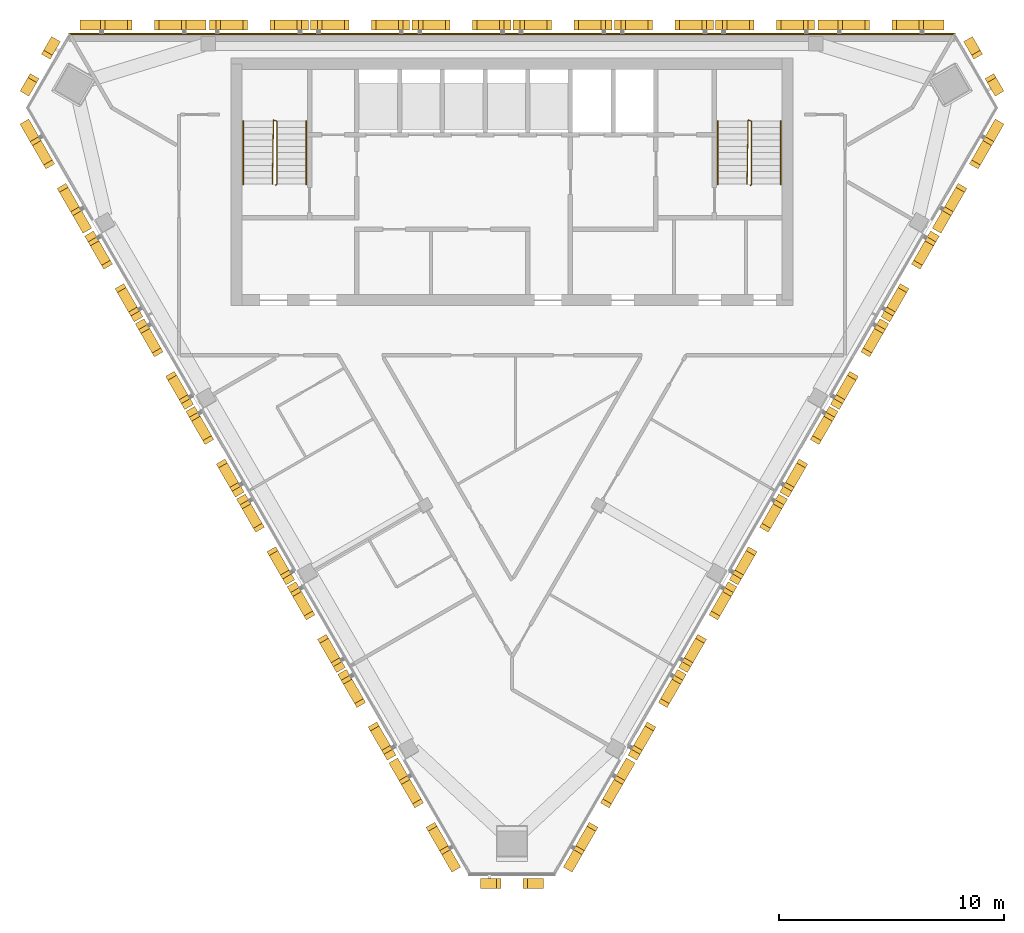
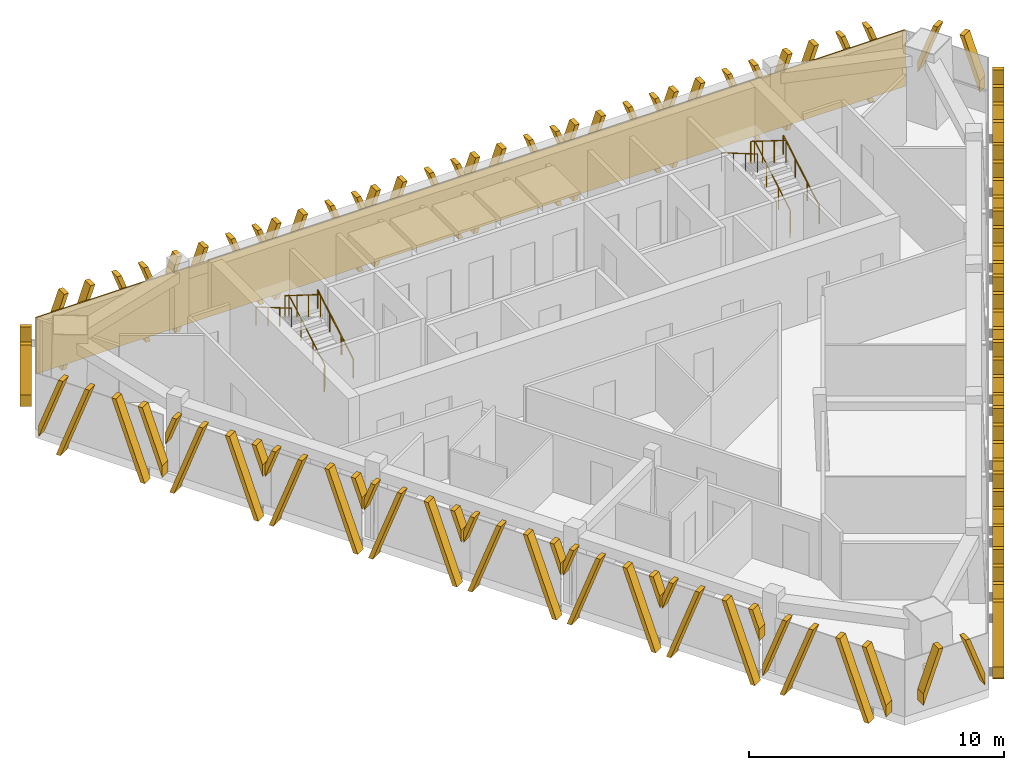
# One storey, part 11 of 12: 27 shading devices, 6 railings, 1 covering.
"""IFC4 building model written with IfcOpenShell, lengths in metres."""

from ifc_helpers import new_model, si_unit, direction, frame, frame_2d, origin, origin_2d, place, context, subcontext, project, spatial, polyline, rectangle, circle, outline, extrude, source, transform, mapped, material, layer, layer_set, type_object, element, save


model = new_model("IFC4")

# Units and contexts
model_context = context("Model", 3, precision=1e-05, world=origin(), true_north=direction((0.0, 1.0)))
body_context = subcontext(model_context, "Body", "Model", "MODEL_VIEW")
ifc_project = project(units=[si_unit("LENGTHUNIT", "METRE"), si_unit("AREAUNIT", "SQUARE_METRE"), si_unit("VOLUMEUNIT", "CUBIC_METRE"), si_unit("PLANEANGLEUNIT", "RADIAN"), si_unit("MASSUNIT", "GRAM", prefix="KILO")], contexts=[model_context])

# Site, building, storey
site_placement = place(None, origin())
site = spatial("IfcSite", under=ifc_project, at=site_placement, CompositionType="ELEMENT")
building_placement = place(site_placement, origin())
building = spatial("IfcBuilding", under=site, at=building_placement, Name="Altiplano Prism Tower", CompositionType="ELEMENT")
storey_placement = place(building_placement, frame((0.0, 0.0, 316.60009765625)))
storey = spatial("IfcBuildingStorey", under=building, at=storey_placement, Name="L82", CompositionType="ELEMENT", Elevation=316.60009765625)

# Railings
ifc_material_1 = material(Name="Steel S355", Category="steel")
railing_type_1 = type_object("IfcRailingType", Name="Stair guard 1100", PredefinedType="GUARDRAIL", material=ifc_material_1)
railing_1_placement = place(storey_placement, frame((74.5, 98.25, 0.0)))
element("IfcRailing", 1, at=railing_1_placement, inside=storey, type_object=railing_type_1, Name="L82 ST1 stair guard 1", PredefinedType="GUARDRAIL", context=body_context, shape_type="SweptSolid", body=[
    extrude(circle(Radius=0.02392578125, at=origin_2d()), frame((0.0, 0.0, 1.076171875), z_axis=(0.280808744504, 0.280808744504, 0.917765164963), x_axis=(-0.707106781187, 0.707106781187, 0.0)), (0.0, 0.0, 1.0), 0.17822265625),
    extrude(circle(Radius=0.02392578125, at=origin_2d()), frame((0.050048828125, 0.050048828125, 1.23974609375), z_axis=(0.0, 0.863393664356, 0.504530851732), x_axis=(-1.0, 0.0, 0.0)), (0.0, 0.0, 1.0), 3.2431640625),
    extrude(circle(Radius=0.02392578125, at=origin_2d()), frame((0.050048828125, 2.85009765625, 2.8759765625), z_axis=(-0.949145278916, 0.314838433982, 0.0), x_axis=(-0.314838433982, -0.949145278916, 0.0)), (0.0, 0.0, 1.0), 0.158203125),
    extrude(circle(Radius=0.02392578125, at=origin_2d()), frame((-0.10009765625, 2.89990234375, 2.8759765625), z_axis=(-0.01477401265, -0.845377694409, 0.533964682676), x_axis=(0.999847325713, -0.01747355902, 0.0)), (0.0, 0.0, 1.0), 3.37109375),
    extrude(circle(Radius=0.02099609375, at=origin_2d()), origin(), (0.0, 0.0, 1.0), 1.052001953125),
    extrude(circle(Radius=0.02099609375, at=origin_2d()), frame((0.050048828125, 0.050048828125, 0.16357421875)), (0.0, 0.0, 1.0), 1.052001953125),
    extrude(circle(Radius=0.02099609375, at=origin_2d()), frame((0.050048828125, 0.9833984375, 0.708984375)), (0.0, 0.0, 1.0), 1.052001953125),
    extrude(circle(Radius=0.02099609375, at=origin_2d()), frame((0.050048828125, 1.916748046875, 1.25439453125)), (0.0, 0.0, 1.0), 1.052001953125),
    extrude(circle(Radius=0.02099609375, at=origin_2d()), frame((0.050048828125, 2.85009765625, 1.7998046875)), (0.0, 0.0, 1.0), 1.052001953125),
    extrude(circle(Radius=0.02099609375, at=origin_2d()), frame((-0.10009765625, 2.89990234375, 1.7998046875)), (0.0, 0.0, 1.0), 1.052001953125),
    extrude(circle(Radius=0.02099609375, at=origin_2d()), frame((-0.11669921875, 1.949951171875, 2.39990234375)), (0.0, 0.0, 1.0), 1.052001953125),
    extrude(circle(Radius=0.02099609375, at=origin_2d()), frame((-0.13330078125, 1.0, 2.999755859375)), (0.0, 0.0, 1.0), 1.052001953125),
    extrude(circle(Radius=0.02099609375, at=origin_2d()), frame((-0.14990234375, 0.050048828125, 3.599853515625)), (0.0, 0.0, 1.0), 1.052001953125),
])
railing_2_placement = place(storey_placement, frame((95.60009765625, 98.25, 0.0)))
element("IfcRailing", 2, at=railing_2_placement, inside=storey, type_object=railing_type_1, Name="L82 ST2 stair guard 1", PredefinedType="GUARDRAIL", context=body_context, shape_type="SweptSolid", body=[
    extrude(circle(Radius=0.02392578125, at=origin_2d()), frame((0.0, 0.0, 1.076171875), z_axis=(0.279546231943, 0.280916556609, 0.91811752648), x_axis=(-0.708833529934, 0.705375805398, 0.0)), (0.0, 0.0, 1.0), 0.17822265625),
    extrude(circle(Radius=0.02392578125, at=origin_2d()), frame((0.0498046875, 0.050048828125, 1.23974609375), z_axis=(0.0, 0.863393664356, 0.504530851732), x_axis=(-1.0, 0.0, 0.0)), (0.0, 0.0, 1.0), 3.2431640625),
    extrude(circle(Radius=0.02392578125, at=origin_2d()), frame((0.0498046875, 2.85009765625, 2.8759765625), z_axis=(-0.948991962702, 0.315300261223, 0.0), x_axis=(-0.315300261223, -0.948991962702, 0.0)), (0.0, 0.0, 1.0), 0.157958984375),
    extrude(circle(Radius=0.02392578125, at=origin_2d()), frame((-0.10009765625, 2.89990234375, 2.8759765625), z_axis=(-0.014846418356, -0.845376787675, 0.533964109957), x_axis=(0.999845825584, -0.017559187376, 0.0)), (0.0, 0.0, 1.0), 3.37109375),
    extrude(circle(Radius=0.02099609375, at=origin_2d()), origin(), (0.0, 0.0, 1.0), 1.052001953125),
    extrude(circle(Radius=0.02099609375, at=origin_2d()), frame((0.0498046875, 0.050048828125, 0.16357421875)), (0.0, 0.0, 1.0), 1.052001953125),
    extrude(circle(Radius=0.02099609375, at=origin_2d()), frame((0.0498046875, 0.9833984375, 0.708984375)), (0.0, 0.0, 1.0), 1.052001953125),
    extrude(circle(Radius=0.02099609375, at=origin_2d()), frame((0.0498046875, 1.916748046875, 1.25439453125)), (0.0, 0.0, 1.0), 1.052001953125),
    extrude(circle(Radius=0.02099609375, at=origin_2d()), frame((0.0498046875, 2.85009765625, 1.7998046875)), (0.0, 0.0, 1.0), 1.052001953125),
    extrude(circle(Radius=0.02099609375, at=origin_2d()), frame((-0.10009765625, 2.89990234375, 1.7998046875)), (0.0, 0.0, 1.0), 1.052001953125),
    extrude(circle(Radius=0.02099609375, at=origin_2d()), frame((-0.11669921875, 1.949951171875, 2.39990234375)), (0.0, 0.0, 1.0), 1.052001953125),
    extrude(circle(Radius=0.02099609375, at=origin_2d()), frame((-0.133544921875, 1.0, 2.999755859375)), (0.0, 0.0, 1.0), 1.052001953125),
    extrude(circle(Radius=0.02099609375, at=origin_2d()), frame((-0.150146484375, 0.050048828125, 3.599853515625)), (0.0, 0.0, 1.0), 1.052001953125),
])
railing_type_2 = type_object("IfcRailingType", Name="Stair handrail 900", PredefinedType="HANDRAIL", material=ifc_material_1)
railing_3_placement = place(storey_placement, frame((75.85009765625, 98.300048828125, 0.16357421875)))
element("IfcRailing", 3, at=railing_3_placement, inside=storey, type_object=railing_type_2, Name="L82 ST1 stair handrail 1", PredefinedType="HANDRAIL", context=body_context, shape_type="SweptSolid", body=[
    extrude(circle(Radius=0.02392578125, at=origin_2d()), frame((0.0, 0.0, 0.8759765625), z_axis=(0.0, 0.863393664356, 0.504530851732), x_axis=(-1.0, 0.0, 0.0)), (0.0, 0.0, 1.0), 3.2431640625),
    extrude(circle(Radius=0.02099609375, at=origin_2d()), origin(), (0.0, 0.0, 1.0), 0.851806640625),
    extrude(circle(Radius=0.02099609375, at=origin_2d()), frame((0.0, 0.933349609375, 0.54541015625)), (0.0, 0.0, 1.0), 0.851806640625),
    extrude(circle(Radius=0.02099609375, at=origin_2d()), frame((0.0, 1.86669921875, 1.0908203125)), (0.0, 0.0, 1.0), 0.851806640625),
    extrude(circle(Radius=0.02099609375, at=origin_2d()), frame((0.0, 2.800048828125, 1.63623046875)), (0.0, 0.0, 1.0), 0.851806640625),
])
railing_4_placement = place(storey_placement, frame((73.050048828125, 101.10009765625, 1.963623046875)))
element("IfcRailing", 4, at=railing_4_placement, inside=storey, type_object=railing_type_2, Name="L82 ST1 stair handrail 2", PredefinedType="HANDRAIL", context=body_context, shape_type="SweptSolid", body=[
    extrude(circle(Radius=0.02392578125, at=origin_2d()), frame((0.0, 0.0, 0.8759765625), z_axis=(0.0, -0.863393664356, 0.504530851732), x_axis=(1.0, 0.0, 0.0)), (0.0, 0.0, 1.0), 3.2431640625),
    extrude(circle(Radius=0.02099609375, at=origin_2d()), origin(), (0.0, 0.0, 1.0), 0.851806640625),
    extrude(circle(Radius=0.02099609375, at=origin_2d()), frame((0.0, -0.933349609375, 0.54541015625)), (0.0, 0.0, 1.0), 0.851806640625),
    extrude(circle(Radius=0.02099609375, at=origin_2d()), frame((0.0, -1.86669921875, 1.0908203125)), (0.0, 0.0, 1.0), 0.851806640625),
    extrude(circle(Radius=0.02099609375, at=origin_2d()), frame((0.0, -2.800048828125, 1.63623046875)), (0.0, 0.0, 1.0), 0.851806640625),
])
railing_5_placement = place(storey_placement, frame((96.949951171875, 98.300048828125, 0.16357421875)))
element("IfcRailing", 5, at=railing_5_placement, inside=storey, type_object=railing_type_2, Name="L82 ST2 stair handrail 1", PredefinedType="HANDRAIL", context=body_context, shape_type="SweptSolid", body=[
    extrude(circle(Radius=0.02392578125, at=origin_2d()), frame((0.0, 0.0, 0.8759765625), z_axis=(0.0, 0.863393664356, 0.504530851732), x_axis=(-1.0, 0.0, 0.0)), (0.0, 0.0, 1.0), 3.2431640625),
    extrude(circle(Radius=0.02099609375, at=origin_2d()), origin(), (0.0, 0.0, 1.0), 0.851806640625),
    extrude(circle(Radius=0.02099609375, at=origin_2d()), frame((0.0, 0.933349609375, 0.54541015625)), (0.0, 0.0, 1.0), 0.851806640625),
    extrude(circle(Radius=0.02099609375, at=origin_2d()), frame((0.0, 1.86669921875, 1.0908203125)), (0.0, 0.0, 1.0), 0.851806640625),
    extrude(circle(Radius=0.02099609375, at=origin_2d()), frame((0.0, 2.800048828125, 1.63623046875)), (0.0, 0.0, 1.0), 0.851806640625),
])
railing_6_placement = place(storey_placement, frame((94.14990234375, 101.10009765625, 1.963623046875)))
element("IfcRailing", 6, at=railing_6_placement, inside=storey, type_object=railing_type_2, Name="L82 ST2 stair handrail 2", PredefinedType="HANDRAIL", context=body_context, shape_type="SweptSolid", body=[
    extrude(circle(Radius=0.02392578125, at=origin_2d()), frame((0.0, 0.0, 0.8759765625), z_axis=(0.0, -0.863393664356, 0.504530851732), x_axis=(1.0, 0.0, 0.0)), (0.0, 0.0, 1.0), 3.2431640625),
    extrude(circle(Radius=0.02099609375, at=origin_2d()), origin(), (0.0, 0.0, 1.0), 0.851806640625),
    extrude(circle(Radius=0.02099609375, at=origin_2d()), frame((0.0, -0.933349609375, 0.54541015625)), (0.0, 0.0, 1.0), 0.851806640625),
    extrude(circle(Radius=0.02099609375, at=origin_2d()), frame((0.0, -1.86669921875, 1.0908203125)), (0.0, 0.0, 1.0), 0.851806640625),
    extrude(circle(Radius=0.02099609375, at=origin_2d()), frame((0.0, -2.800048828125, 1.63623046875)), (0.0, 0.0, 1.0), 0.851806640625),
])

# Covering
ifc_material_2 = material(Name="Warm limestone cast stone", Category="masonry")
ifc_layer = layer(ifc_material_2, 0.06005859375)
ifc_layer_set = layer_set([ifc_layer], Name="Warm limestone cast stone")
covering_type = type_object("IfcCoveringType", Name="Stone cladding 60", PredefinedType="CLADDING", material=ifc_layer_set)
covering_placement = place(storey_placement, frame((65.304443359375, 104.969970703125, 0.0), z_axis=(0.0, 0.0, 1.0), x_axis=(1.0, 0.0, 0.0)))
element("IfcCovering", 7, at=covering_placement, inside=storey, type_object=covering_type, Name="Stone cladding north face L82", PredefinedType="CLADDING", context=body_context, shape_type="SweptSolid", body=[
    extrude(rectangle(XDim=39.39111328125, YDim=0.06005859375, at=frame_2d((19.695556640625, 0.0))), origin(), (0.0, 0.0, 1.0), 2.699951171875),
])

# Shading devices
shading_device_type_1 = type_object("IfcShadingDeviceType", Name="Stone fin panel, standard unit", PredefinedType="USERDEFINED", material=ifc_material_2)
shared_shape_1 = source(origin(), body_context, "Body", "SweptSolid", [
    extrude(outline(polyline([(-2.199951171875, 2.226318359375), (-1.699951171875, 3.60009765625), (-1.89990234375, 3.60009765625), (-2.199951171875, 2.77587890625), (-2.199951171875, 2.226318359375)])), frame((0.0, -0.14990234375, 0.0), z_axis=(0.0, -1.0, 0.0), x_axis=(1.0, 0.0, 0.0)), (0.0, 0.0, 1.0), 0.4501953125),
    extrude(outline(polyline([(-2.01025390625, 0.0), (-1.810302734375, 0.0), (-0.5, 3.60009765625), (-0.699951171875, 3.60009765625), (-2.01025390625, 0.0)])), frame((0.0, -0.14990234375, 0.0), z_axis=(0.0, -1.0, 0.0), x_axis=(1.0, 0.0, 0.0)), (0.0, 0.0, 1.0), 0.4501953125),
    extrude(outline(polyline([(1.810302734375, 0.0), (2.01025390625, 0.0), (0.699951171875, 3.60009765625), (0.5, 3.60009765625), (1.810302734375, 0.0)])), frame((0.0, -0.14990234375, 0.0), z_axis=(0.0, -1.0, 0.0), x_axis=(1.0, 0.0, 0.0)), (0.0, 0.0, 1.0), 0.4501953125),
    extrude(outline(polyline([(2.199951171875, 2.77587890625), (1.89990234375, 3.60009765625), (1.699951171875, 3.60009765625), (2.199951171875, 2.226318359375), (2.199951171875, 2.77587890625)])), frame((0.0, -0.14990234375, 0.0), z_axis=(0.0, -1.0, 0.0), x_axis=(1.0, 0.0, 0.0)), (0.0, 0.0, 1.0), 0.4501953125),
])
shading_device_1_placement = place(storey_placement, origin())
element("IfcShadingDevice", 8, at=shading_device_1_placement, inside=storey, type_object=shading_device_type_1, Name="Fin L82 north face 2", ObjectType="FIN", PredefinedType="USERDEFINED", context=body_context, shape_type="MappedRepresentation", body=[
    mapped(shared_shape_1, transform((96.25, 105.0, -0.400146484375), x_axis=(-1.0, 0.0, 0.0), y_axis=(0.0, -1.0, 0.0), z_axis=(0.0, 0.0, 1.0))),
])
shading_device_2_placement = place(storey_placement, origin())
element("IfcShadingDevice", 9, at=shading_device_2_placement, inside=storey, type_object=shading_device_type_1, Name="Fin L82 north face 3", ObjectType="FIN", PredefinedType="USERDEFINED", context=body_context, shape_type="MappedRepresentation", body=[
    mapped(shared_shape_1, transform((91.75, 105.0, -0.400146484375), x_axis=(-1.0, 0.0, 0.0), y_axis=(0.0, -1.0, 0.0), z_axis=(0.0, 0.0, 1.0))),
])
shading_device_3_placement = place(storey_placement, origin())
element("IfcShadingDevice", 10, at=shading_device_3_placement, inside=storey, type_object=shading_device_type_1, Name="Fin L82 north face 4", ObjectType="FIN", PredefinedType="USERDEFINED", context=body_context, shape_type="MappedRepresentation", body=[
    mapped(shared_shape_1, transform((87.25, 105.0, -0.400146484375), x_axis=(-1.0, 0.0, 0.0), y_axis=(0.0, -1.0, 0.0), z_axis=(0.0, 0.0, 1.0))),
])
shading_device_4_placement = place(storey_placement, origin())
element("IfcShadingDevice", 11, at=shading_device_4_placement, inside=storey, type_object=shading_device_type_1, Name="Fin L82 north face 5", ObjectType="FIN", PredefinedType="USERDEFINED", context=body_context, shape_type="MappedRepresentation", body=[
    mapped(shared_shape_1, transform((82.75, 105.0, -0.400146484375), x_axis=(-1.0, 0.0, 0.0), y_axis=(0.0, -1.0, 0.0), z_axis=(0.0, 0.0, 1.0))),
])
shading_device_5_placement = place(storey_placement, origin())
element("IfcShadingDevice", 12, at=shading_device_5_placement, inside=storey, type_object=shading_device_type_1, Name="Fin L82 north face 6", ObjectType="FIN", PredefinedType="USERDEFINED", context=body_context, shape_type="MappedRepresentation", body=[
    mapped(shared_shape_1, transform((78.25, 105.0, -0.400146484375), x_axis=(-1.0, 0.0, 0.0), y_axis=(0.0, -1.0, 0.0), z_axis=(0.0, 0.0, 1.0))),
])
shading_device_6_placement = place(storey_placement, origin())
element("IfcShadingDevice", 13, at=shading_device_6_placement, inside=storey, type_object=shading_device_type_1, Name="Fin L82 north face 7", ObjectType="FIN", PredefinedType="USERDEFINED", context=body_context, shape_type="MappedRepresentation", body=[
    mapped(shared_shape_1, transform((73.75, 105.0, -0.400146484375), x_axis=(-1.0, 0.0, 0.0), y_axis=(0.0, -1.0, 0.0), z_axis=(0.0, 0.0, 1.0))),
])
shading_device_7_placement = place(storey_placement, origin())
element("IfcShadingDevice", 14, at=shading_device_7_placement, inside=storey, type_object=shading_device_type_1, Name="Fin L82 south-west face 2", ObjectType="FIN", PredefinedType="USERDEFINED", context=body_context, shape_type="MappedRepresentation", body=[
    mapped(shared_shape_1, transform((67.623291015625, 94.387939453125, -0.400146484375), x_axis=(0.500000006139, -0.86602540024, 0.0), y_axis=(0.86602540024, 0.500000006139, 0.0), z_axis=(0.0, 0.0, 1.0))),
])
shading_device_8_placement = place(storey_placement, origin())
element("IfcShadingDevice", 15, at=shading_device_8_placement, inside=storey, type_object=shading_device_type_1, Name="Fin L82 south-west face 3", ObjectType="FIN", PredefinedType="USERDEFINED", context=body_context, shape_type="MappedRepresentation", body=[
    mapped(shared_shape_1, transform((69.873291015625, 90.490966796875, -0.400146484375), x_axis=(0.500000006139, -0.86602540024, 0.0), y_axis=(0.86602540024, 0.500000006139, 0.0), z_axis=(0.0, 0.0, 1.0))),
])
shading_device_9_placement = place(storey_placement, origin())
element("IfcShadingDevice", 16, at=shading_device_9_placement, inside=storey, type_object=shading_device_type_1, Name="Fin L82 south-west face 4", ObjectType="FIN", PredefinedType="USERDEFINED", context=body_context, shape_type="MappedRepresentation", body=[
    mapped(shared_shape_1, transform((72.123291015625, 86.59375, -0.400146484375), x_axis=(0.500000006139, -0.86602540024, 0.0), y_axis=(0.86602540024, 0.500000006139, 0.0), z_axis=(0.0, 0.0, 1.0))),
])
shading_device_10_placement = place(storey_placement, origin())
element("IfcShadingDevice", 17, at=shading_device_10_placement, inside=storey, type_object=shading_device_type_1, Name="Fin L82 south-west face 5", ObjectType="FIN", PredefinedType="USERDEFINED", context=body_context, shape_type="MappedRepresentation", body=[
    mapped(shared_shape_1, transform((74.373291015625, 82.69677734375, -0.400146484375), x_axis=(0.500000006139, -0.86602540024, 0.0), y_axis=(0.86602540024, 0.500000006139, 0.0), z_axis=(0.0, 0.0, 1.0))),
])
shading_device_11_placement = place(storey_placement, origin())
element("IfcShadingDevice", 18, at=shading_device_11_placement, inside=storey, type_object=shading_device_type_1, Name="Fin L82 south-west face 6", ObjectType="FIN", PredefinedType="USERDEFINED", context=body_context, shape_type="MappedRepresentation", body=[
    mapped(shared_shape_1, transform((76.623291015625, 78.799560546875, -0.400146484375), x_axis=(0.500000006139, -0.86602540024, 0.0), y_axis=(0.86602540024, 0.500000006139, 0.0), z_axis=(0.0, 0.0, 1.0))),
])
shading_device_12_placement = place(storey_placement, origin())
element("IfcShadingDevice", 19, at=shading_device_12_placement, inside=storey, type_object=shading_device_type_1, Name="Fin L82 south-west face 7", ObjectType="FIN", PredefinedType="USERDEFINED", context=body_context, shape_type="MappedRepresentation", body=[
    mapped(shared_shape_1, transform((78.873291015625, 74.902587890625, -0.400146484375), x_axis=(0.500000006139, -0.86602540024, 0.0), y_axis=(0.86602540024, 0.500000006139, 0.0), z_axis=(0.0, 0.0, 1.0))),
])
shading_device_13_placement = place(storey_placement, origin())
element("IfcShadingDevice", 20, at=shading_device_13_placement, inside=storey, type_object=shading_device_type_1, Name="Fin L82 south-east face 2", ObjectType="FIN", PredefinedType="USERDEFINED", context=body_context, shape_type="MappedRepresentation", body=[
    mapped(shared_shape_1, transform((91.126708984375, 74.902587890625, -0.400146484375), x_axis=(0.500000006139, 0.86602540024, 0.0), y_axis=(-0.86602540024, 0.500000006139, 0.0), z_axis=(0.0, 0.0, 1.0))),
])
shading_device_14_placement = place(storey_placement, origin())
element("IfcShadingDevice", 21, at=shading_device_14_placement, inside=storey, type_object=shading_device_type_1, Name="Fin L82 south-east face 3", ObjectType="FIN", PredefinedType="USERDEFINED", context=body_context, shape_type="MappedRepresentation", body=[
    mapped(shared_shape_1, transform((93.376708984375, 78.799560546875, -0.400146484375), x_axis=(0.500000006139, 0.86602540024, 0.0), y_axis=(-0.86602540024, 0.500000006139, 0.0), z_axis=(0.0, 0.0, 1.0))),
])
shading_device_15_placement = place(storey_placement, origin())
element("IfcShadingDevice", 22, at=shading_device_15_placement, inside=storey, type_object=shading_device_type_1, Name="Fin L82 south-east face 4", ObjectType="FIN", PredefinedType="USERDEFINED", context=body_context, shape_type="MappedRepresentation", body=[
    mapped(shared_shape_1, transform((95.626708984375, 82.69677734375, -0.400146484375), x_axis=(0.500000006139, 0.86602540024, 0.0), y_axis=(-0.86602540024, 0.500000006139, 0.0), z_axis=(0.0, 0.0, 1.0))),
])
shading_device_16_placement = place(storey_placement, origin())
element("IfcShadingDevice", 23, at=shading_device_16_placement, inside=storey, type_object=shading_device_type_1, Name="Fin L82 south-east face 5", ObjectType="FIN", PredefinedType="USERDEFINED", context=body_context, shape_type="MappedRepresentation", body=[
    mapped(shared_shape_1, transform((97.876708984375, 86.59375, -0.400146484375), x_axis=(0.500000006139, 0.86602540024, 0.0), y_axis=(-0.86602540024, 0.500000006139, 0.0), z_axis=(0.0, 0.0, 1.0))),
])
shading_device_17_placement = place(storey_placement, origin())
element("IfcShadingDevice", 24, at=shading_device_17_placement, inside=storey, type_object=shading_device_type_1, Name="Fin L82 south-east face 6", ObjectType="FIN", PredefinedType="USERDEFINED", context=body_context, shape_type="MappedRepresentation", body=[
    mapped(shared_shape_1, transform((100.126708984375, 90.490966796875, -0.400146484375), x_axis=(0.500000006139, 0.86602540024, 0.0), y_axis=(-0.86602540024, 0.500000006139, 0.0), z_axis=(0.0, 0.0, 1.0))),
])
shading_device_18_placement = place(storey_placement, origin())
element("IfcShadingDevice", 25, at=shading_device_18_placement, inside=storey, type_object=shading_device_type_1, Name="Fin L82 south-east face 7", ObjectType="FIN", PredefinedType="USERDEFINED", context=body_context, shape_type="MappedRepresentation", body=[
    mapped(shared_shape_1, transform((102.376708984375, 94.387939453125, -0.400146484375), x_axis=(0.500000006139, 0.86602540024, 0.0), y_axis=(-0.86602540024, 0.500000006139, 0.0), z_axis=(0.0, 0.0, 1.0))),
])
shading_device_type_2 = type_object("IfcShadingDeviceType", Name="Stone fin panel, chamfer unit", PredefinedType="USERDEFINED", material=ifc_material_2)
shared_shape_2 = source(origin(), body_context, "Body", "SweptSolid", [
    extrude(outline(polyline([(-1.39990234375, 1.127197265625), (-0.5, 3.60009765625), (-0.699951171875, 3.60009765625), (-1.39990234375, 1.6767578125), (-1.39990234375, 1.127197265625)])), frame((0.0, -0.14990234375, 0.0), z_axis=(0.0, -1.0, 0.0), x_axis=(1.0, 0.0, 0.0)), (0.0, 0.0, 1.0), 0.4501953125),
    extrude(outline(polyline([(1.39990234375, 1.6767578125), (0.699951171875, 3.60009765625), (0.5, 3.60009765625), (1.39990234375, 1.127197265625), (1.39990234375, 1.6767578125)])), frame((0.0, -0.14990234375, 0.0), z_axis=(0.0, -1.0, 0.0), x_axis=(1.0, 0.0, 0.0)), (0.0, 0.0, 1.0), 0.4501953125),
])
shading_device_19_placement = place(storey_placement, origin())
element("IfcShadingDevice", 26, at=shading_device_19_placement, inside=storey, type_object=shading_device_type_2, Name="Fin L82 north-west chamfer 1", ObjectType="FIN", PredefinedType="USERDEFINED", context=body_context, shape_type="MappedRepresentation", body=[
    mapped(shared_shape_2, transform((64.3525390625, 103.35107421875, -0.400146484375), x_axis=(-0.499999978961, -0.866025415932, 0.0), y_axis=(0.866025415932, -0.499999978961, 0.0), z_axis=(0.0, 0.0, 1.0))),
])
shading_device_20_placement = place(storey_placement, origin())
element("IfcShadingDevice", 27, at=shading_device_20_placement, inside=storey, type_object=shading_device_type_2, Name="Fin L82 south chamfer 1", ObjectType="FIN", PredefinedType="USERDEFINED", context=body_context, shape_type="MappedRepresentation", body=[
    mapped(shared_shape_2, transform((85.0, 67.588623046875, -0.400146484375), x_axis=(1.0, 0.0, 0.0), y_axis=(0.0, 1.0, 0.0), z_axis=(0.0, 0.0, 1.0))),
])
shading_device_21_placement = place(storey_placement, origin())
element("IfcShadingDevice", 28, at=shading_device_21_placement, inside=storey, type_object=shading_device_type_2, Name="Fin L82 north-east chamfer 1", ObjectType="FIN", PredefinedType="USERDEFINED", context=body_context, shape_type="MappedRepresentation", body=[
    mapped(shared_shape_2, transform((105.6474609375, 103.35107421875, -0.400146484375), x_axis=(-0.499999978961, 0.866025415932, 0.0), y_axis=(-0.866025415932, -0.499999978961, 0.0), z_axis=(0.0, 0.0, 1.0))),
])
shading_device_type_3 = type_object("IfcShadingDeviceType", Name="Stone fin panel, wide closing bay", PredefinedType="USERDEFINED", material=ifc_material_2)
shared_shape_3 = source(origin(), body_context, "Body", "SweptSolid", [
    extrude(outline(polyline([(-2.800048828125, 0.577880859375), (-1.699951171875, 3.60009765625), (-1.89990234375, 3.60009765625), (-2.800048828125, 1.127197265625), (-2.800048828125, 0.577880859375)])), frame((0.0, -0.14990234375, 0.0), z_axis=(0.0, -1.0, 0.0), x_axis=(1.0, 0.0, 0.0)), (0.0, 0.0, 1.0), 0.4501953125),
    extrude(outline(polyline([(-2.01025390625, 0.0), (-1.810302734375, 0.0), (-0.5, 3.60009765625), (-0.699951171875, 3.60009765625), (-2.01025390625, 0.0)])), frame((0.0, -0.14990234375, 0.0), z_axis=(0.0, -1.0, 0.0), x_axis=(1.0, 0.0, 0.0)), (0.0, 0.0, 1.0), 0.4501953125),
    extrude(outline(polyline([(1.810302734375, 0.0), (2.01025390625, 0.0), (0.699951171875, 3.60009765625), (0.5, 3.60009765625), (1.810302734375, 0.0)])), frame((0.0, -0.14990234375, 0.0), z_axis=(0.0, -1.0, 0.0), x_axis=(1.0, 0.0, 0.0)), (0.0, 0.0, 1.0), 0.4501953125),
    extrude(outline(polyline([(2.800048828125, 1.127197265625), (1.89990234375, 3.60009765625), (1.699951171875, 3.60009765625), (2.800048828125, 0.577880859375), (2.800048828125, 1.127197265625)])), frame((0.0, -0.14990234375, 0.0), z_axis=(0.0, -1.0, 0.0), x_axis=(1.0, 0.0, 0.0)), (0.0, 0.0, 1.0), 0.4501953125),
])
shading_device_22_placement = place(storey_placement, origin())
element("IfcShadingDevice", 29, at=shading_device_22_placement, inside=storey, type_object=shading_device_type_3, Name="Fin L82 north face 1", ObjectType="FIN", PredefinedType="USERDEFINED", context=body_context, shape_type="MappedRepresentation", body=[
    mapped(shared_shape_3, transform((101.397705078125, 105.0, -0.400146484375), x_axis=(-1.0, 0.0, 0.0), y_axis=(0.0, -1.0, 0.0), z_axis=(0.0, 0.0, 1.0))),
])
shading_device_23_placement = place(storey_placement, origin())
element("IfcShadingDevice", 30, at=shading_device_23_placement, inside=storey, type_object=shading_device_type_3, Name="Fin L82 north face 8", ObjectType="FIN", PredefinedType="USERDEFINED", context=body_context, shape_type="MappedRepresentation", body=[
    mapped(shared_shape_3, transform((68.602294921875, 105.0, -0.400146484375), x_axis=(-1.0, 0.0, 0.0), y_axis=(0.0, -1.0, 0.0), z_axis=(0.0, 0.0, 1.0))),
])
shading_device_24_placement = place(storey_placement, origin())
element("IfcShadingDevice", 31, at=shading_device_24_placement, inside=storey, type_object=shading_device_type_3, Name="Fin L82 south-west face 1", ObjectType="FIN", PredefinedType="USERDEFINED", context=body_context, shape_type="MappedRepresentation", body=[
    mapped(shared_shape_3, transform((65.04931640625, 98.84619140625, -0.400146484375), x_axis=(0.500000006139, -0.86602540024, 0.0), y_axis=(0.86602540024, 0.500000006139, 0.0), z_axis=(0.0, 0.0, 1.0))),
])
shading_device_25_placement = place(storey_placement, origin())
element("IfcShadingDevice", 32, at=shading_device_25_placement, inside=storey, type_object=shading_device_type_3, Name="Fin L82 south-west face 8", ObjectType="FIN", PredefinedType="USERDEFINED", context=body_context, shape_type="MappedRepresentation", body=[
    mapped(shared_shape_3, transform((81.447021484375, 70.4443359375, -0.400146484375), x_axis=(0.500000006139, -0.86602540024, 0.0), y_axis=(0.86602540024, 0.500000006139, 0.0), z_axis=(0.0, 0.0, 1.0))),
])
shading_device_26_placement = place(storey_placement, origin())
element("IfcShadingDevice", 33, at=shading_device_26_placement, inside=storey, type_object=shading_device_type_3, Name="Fin L82 south-east face 1", ObjectType="FIN", PredefinedType="USERDEFINED", context=body_context, shape_type="MappedRepresentation", body=[
    mapped(shared_shape_3, transform((88.552978515625, 70.4443359375, -0.400146484375), x_axis=(0.500000006139, 0.86602540024, 0.0), y_axis=(-0.86602540024, 0.500000006139, 0.0), z_axis=(0.0, 0.0, 1.0))),
])
shading_device_27_placement = place(storey_placement, origin())
element("IfcShadingDevice", 34, at=shading_device_27_placement, inside=storey, type_object=shading_device_type_3, Name="Fin L82 south-east face 8", ObjectType="FIN", PredefinedType="USERDEFINED", context=body_context, shape_type="MappedRepresentation", body=[
    mapped(shared_shape_3, transform((104.95068359375, 98.84619140625, -0.400146484375), x_axis=(0.500000006139, 0.86602540024, 0.0), y_axis=(-0.86602540024, 0.500000006139, 0.0), z_axis=(0.0, 0.0, 1.0))),
])

save(model, "model.ifc")
